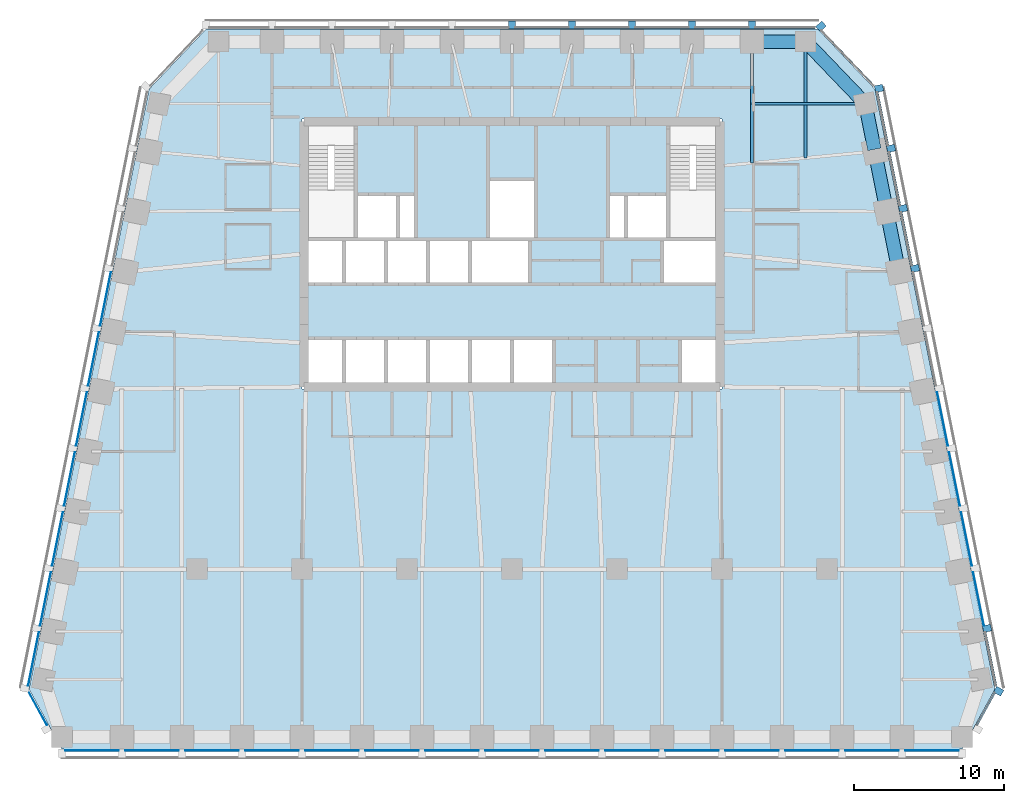
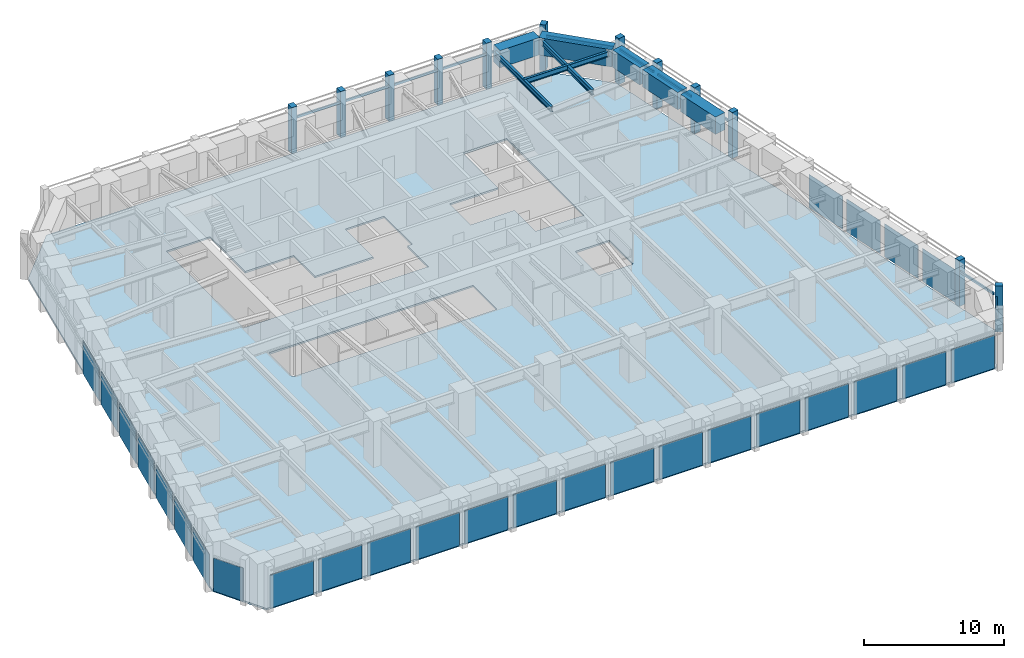
# One storey, part 4 of 10: 27 plates, 23 members, 8 beams, 1 slab, 7 elements without a shape of their own.
"""IFC4 building model written with IfcOpenShell, lengths in metres."""

from ifc_helpers import new_model, si_unit, direction, frame, origin, origin_2d, place, context, subcontext, project, spatial, polyline, rectangle, i_section, outline, extrude, material, layer, layer_set, material_profile, profile_set, type_object, element, aggregate, save


model = new_model("IFC4")

# Units and contexts
model_context = context("Model", 3, precision=1e-05, world=origin(), true_north=direction((0.0, 1.0)))
body_context = subcontext(model_context, "Body", "Model", "MODEL_VIEW")
ifc_project = project(units=[si_unit("LENGTHUNIT", "METRE"), si_unit("AREAUNIT", "SQUARE_METRE"), si_unit("VOLUMEUNIT", "CUBIC_METRE"), si_unit("PLANEANGLEUNIT", "RADIAN"), si_unit("MASSUNIT", "GRAM", prefix="KILO")], contexts=[model_context])

# Site, building, storey
site_placement = place(None, origin())
site = spatial("IfcSite", under=ifc_project, at=site_placement, CompositionType="ELEMENT")
building_placement = place(site_placement, origin())
building = spatial("IfcBuilding", under=site, at=building_placement, Name="Isbrekke Arena Tower", CompositionType="ELEMENT")
storey_placement = place(building_placement, frame((0.0, 0.0, 214.0)))
storey = spatial("IfcBuildingStorey", under=building, at=storey_placement, Name="L49", CompositionType="ELEMENT", Elevation=214.0)

# Beams
ifc_material_1 = material(Name="Steel S355", Category="steel")
ifc_material_profile_1 = material_profile(ifc_material_1, i_section(OverallWidth=0.18994140625, OverallDepth=0.449951171875, WebThickness=0.009521484375, FlangeThickness=0.0146484375, FilletRadius=0.02099609375, at=origin_2d()), Name="IPE 450")
ifc_profile_set_1 = profile_set([ifc_material_profile_1], Name="Steel S355")
beam_type_1 = type_object("IfcBeamType", Name="B2 IPE 450", PredefinedType="BEAM", material=ifc_profile_set_1)
beam_1_placement = place(storey_placement, frame((23.40283203125, 25.029296875, 3.625), z_axis=(-1.0, 0.0, 0.0), x_axis=(0.0, -1.0, 0.0)))
element("IfcBeam", 1, at=beam_1_placement, inside=storey, type_object=beam_type_1, Name="B2 beam E-E11 L49", PredefinedType="BEAM", context=body_context, shape_type="SweptSolid", body=[
    extrude(i_section(OverallWidth=0.18994140625, OverallDepth=0.449951171875, WebThickness=0.009521484375, FlangeThickness=0.0146484375, FilletRadius=0.02099609375, at=origin_2d()), origin(), (0.0, 0.0, 1.0), 7.40283203125),
])
ifc_material_2 = material(Name="Steel S355", Category="steel")
ifc_material_profile_2 = material_profile(ifc_material_2, i_section(OverallWidth=0.18994140625, OverallDepth=0.449951171875, WebThickness=0.009521484375, FlangeThickness=0.0146484375, FilletRadius=0.02099609375, at=origin_2d()), Name="IPE 450")
ifc_profile_set_2 = profile_set([ifc_material_profile_2], Name="Steel S355")
beam_type_2 = type_object("IfcBeamType", Name="B3 IPE 450", PredefinedType="BEAM", material=ifc_profile_set_2)
beam_2_placement = place(storey_placement, frame((19.574951171875, 29.02490234375, 3.625), z_axis=(0.0, -1.0, 0.0), x_axis=(1.0, 0.0, 0.0)))
element("IfcBeam", 2, at=beam_2_placement, inside=storey, type_object=beam_type_2, Name="B3 beam N-N01 L49", PredefinedType="BEAM", context=body_context, shape_type="SweptSolid", body=[
    extrude(i_section(OverallWidth=0.18994140625, OverallDepth=0.449951171875, WebThickness=0.009521484375, FlangeThickness=0.0146484375, FilletRadius=0.02099609375, at=origin_2d()), origin(), (0.0, 0.0, 1.0), 7.6103515625),
])
beam_3_placement = place(storey_placement, frame((16.0, 29.02490234375, 3.625), z_axis=(0.0, -1.0, 0.0), x_axis=(1.0, 0.0, 0.0)))
element("IfcBeam", 3, at=beam_3_placement, inside=storey, type_object=beam_type_2, Name="B3 beam N-N02 L49", PredefinedType="BEAM", context=body_context, shape_type="SweptSolid", body=[
    extrude(i_section(OverallWidth=0.18994140625, OverallDepth=0.449951171875, WebThickness=0.009521484375, FlangeThickness=0.0146484375, FilletRadius=0.02099609375, at=origin_2d()), origin(), (0.0, 0.0, 1.0), 7.949462890625),
])

# Curtain wall, member
ifc_material_3 = material(Name="Glazed aluminium curtain wall", Category="aluminium")
curtain_wall_type = type_object("IfcCurtainWallType", Name="CWH TOWER CURTAIN WALL HIGH ZONE", PredefinedType="USERDEFINED", material=ifc_material_3)
curtain_wall_1_placement = place(storey_placement, origin())
curtain_wall_1 = element("IfcCurtainWall", 4, at=curtain_wall_1_placement, inside=storey, type_object=curtain_wall_type, Name="CWH curtain wall L49-SE", ObjectType="TOWER CURTAIN WALL HIGH ZONE", PredefinedType="USERDEFINED")
ifc_material_4 = material(Name="Aluminium mullion, pale brick slip cladding", Category="masonry")
ifc_material_profile_3 = material_profile(ifc_material_4, rectangle(XDim=0.449951171875, YDim=0.550048828125, at=origin_2d()), Name="PIER 450X550")
ifc_profile_set_3 = profile_set([ifc_material_profile_3], Name="Aluminium mullion, pale brick slip cladding")
member_type_1 = type_object("IfcMemberType", Name="CWH-M PIER MULLION 450 x 550", PredefinedType="MULLION", material=ifc_profile_set_3)
member_1_placement = place(storey_placement, frame((32.44091796875, -14.132568359375, 0.0), z_axis=(0.0, 0.0, 1.0), x_axis=(0.481918749773, 0.876215908676, 0.0)))
member_1 = element("IfcMember", 5, at=member_1_placement, type_object=member_type_1, Name="CWH-M mullion 2", PredefinedType="MULLION", context=body_context, shape_type="SweptSolid", body=[
    extrude(rectangle(XDim=0.449951171875, YDim=0.550048828125, at=origin_2d()), origin(), (0.0, 0.0, 1.0), 4.0),
])

# Curtain wall, members
curtain_wall_2_placement = place(storey_placement, origin())
curtain_wall_2 = element("IfcCurtainWall", 6, at=curtain_wall_2_placement, inside=storey, type_object=curtain_wall_type, Name="CWH curtain wall L49-E", ObjectType="TOWER CURTAIN WALL HIGH ZONE", PredefinedType="USERDEFINED")
member_2_placement = place(storey_placement, frame((31.669677734375, -9.946044921875, 0.0), z_axis=(0.0, 0.0, 1.0), x_axis=(-0.196116135138, 0.980580675691, 0.0)))
member_2 = element("IfcMember", 7, at=member_2_placement, type_object=member_type_1, Name="CWH-M mullion 1", PredefinedType="MULLION", context=body_context, shape_type="SweptSolid", body=[
    extrude(rectangle(XDim=0.449951171875, YDim=0.550048828125, at=origin_2d()), origin(), (0.0, 0.0, 1.0), 4.0),
])
member_3_placement = place(storey_placement, frame((26.86962890625, 14.053955078125, 0.0), z_axis=(0.0, 0.0, 1.0), x_axis=(-0.196116135138, 0.980580675691, 0.0)))
member_3 = element("IfcMember", 8, at=member_3_placement, type_object=member_type_1, Name="CWH-M mullion 7", PredefinedType="MULLION", context=body_context, shape_type="SweptSolid", body=[
    extrude(rectangle(XDim=0.449951171875, YDim=0.550048828125, at=origin_2d()), origin(), (0.0, 0.0, 1.0), 4.0),
])
member_4_placement = place(storey_placement, frame((26.069580078125, 18.053955078125, 0.0), z_axis=(0.0, 0.0, 1.0), x_axis=(-0.196116135138, 0.980580675691, 0.0)))
member_4 = element("IfcMember", 9, at=member_4_placement, type_object=member_type_1, Name="CWH-M mullion 8", PredefinedType="MULLION", context=body_context, shape_type="SweptSolid", body=[
    extrude(rectangle(XDim=0.449951171875, YDim=0.550048828125, at=origin_2d()), origin(), (0.0, 0.0, 1.0), 4.0),
])
member_5_placement = place(storey_placement, frame((25.269775390625, 22.053955078125, 0.0), z_axis=(0.0, 0.0, 1.0), x_axis=(-0.196116135138, 0.980580675691, 0.0)))
member_5 = element("IfcMember", 10, at=member_5_placement, type_object=member_type_1, Name="CWH-M mullion 9", PredefinedType="MULLION", context=body_context, shape_type="SweptSolid", body=[
    extrude(rectangle(XDim=0.449951171875, YDim=0.550048828125, at=origin_2d()), origin(), (0.0, 0.0, 1.0), 4.0),
])
member_6_placement = place(storey_placement, frame((24.4697265625, 26.053955078125, 0.0), z_axis=(0.0, 0.0, 1.0), x_axis=(-0.196116135138, 0.980580675691, 0.0)))
member_6 = element("IfcMember", 11, at=member_6_placement, type_object=member_type_1, Name="CWH-M mullion 10", PredefinedType="MULLION", context=body_context, shape_type="SweptSolid", body=[
    extrude(rectangle(XDim=0.449951171875, YDim=0.550048828125, at=origin_2d()), origin(), (0.0, 0.0, 1.0), 4.0),
])

# Curtain wall, member
curtain_wall_3_placement = place(storey_placement, origin())
curtain_wall_3 = element("IfcCurtainWall", 12, at=curtain_wall_3_placement, inside=storey, type_object=curtain_wall_type, Name="CWH curtain wall L49-EN", ObjectType="TOWER CURTAIN WALL HIGH ZONE", PredefinedType="USERDEFINED")
member_7_placement = place(storey_placement, frame((20.599365234375, 30.189453125, 0.0), z_axis=(0.0, 0.0, 1.0), x_axis=(-0.68874946192, 0.72499943359, 0.0)))
member_7 = element("IfcMember", 13, at=member_7_placement, type_object=member_type_1, Name="CWH-M mullion 1", PredefinedType="MULLION", context=body_context, shape_type="SweptSolid", body=[
    extrude(rectangle(XDim=0.449951171875, YDim=0.550048828125, at=origin_2d()), origin(), (0.0, 0.0, 1.0), 4.0),
])

# Curtain wall, members
curtain_wall_4_placement = place(storey_placement, origin())
curtain_wall_4 = element("IfcCurtainWall", 14, at=curtain_wall_4_placement, inside=storey, type_object=curtain_wall_type, Name="CWH curtain wall L49-N", ObjectType="TOWER CURTAIN WALL HIGH ZONE", PredefinedType="USERDEFINED")
member_8_placement = place(storey_placement, frame((16.0, 30.27490234375, 0.0), z_axis=(0.0, 0.0, 1.0), x_axis=(-1.0, 0.0, 0.0)))
member_8 = element("IfcMember", 15, at=member_8_placement, type_object=member_type_1, Name="CWH-M mullion 1", PredefinedType="MULLION", context=body_context, shape_type="SweptSolid", body=[
    extrude(rectangle(XDim=0.449951171875, YDim=0.550048828125, at=origin_2d()), origin(), (0.0, 0.0, 1.0), 4.0),
])
member_9_placement = place(storey_placement, frame((12.0, 30.27490234375, 0.0), z_axis=(0.0, 0.0, 1.0), x_axis=(-1.0, 0.0, 0.0)))
member_9 = element("IfcMember", 16, at=member_9_placement, type_object=member_type_1, Name="CWH-M mullion 2", PredefinedType="MULLION", context=body_context, shape_type="SweptSolid", body=[
    extrude(rectangle(XDim=0.449951171875, YDim=0.550048828125, at=origin_2d()), origin(), (0.0, 0.0, 1.0), 4.0),
])
member_10_placement = place(storey_placement, frame((8.0, 30.27490234375, 0.0), z_axis=(0.0, 0.0, 1.0), x_axis=(-1.0, 0.0, 0.0)))
member_10 = element("IfcMember", 17, at=member_10_placement, type_object=member_type_1, Name="CWH-M mullion 3", PredefinedType="MULLION", context=body_context, shape_type="SweptSolid", body=[
    extrude(rectangle(XDim=0.449951171875, YDim=0.550048828125, at=origin_2d()), origin(), (0.0, 0.0, 1.0), 4.0),
])
member_11_placement = place(storey_placement, frame((4.0, 30.27490234375, 0.0), z_axis=(0.0, 0.0, 1.0), x_axis=(-1.0, 0.0, 0.0)))
member_11 = element("IfcMember", 18, at=member_11_placement, type_object=member_type_1, Name="CWH-M mullion 4", PredefinedType="MULLION", context=body_context, shape_type="SweptSolid", body=[
    extrude(rectangle(XDim=0.449951171875, YDim=0.550048828125, at=origin_2d()), origin(), (0.0, 0.0, 1.0), 4.0),
])
member_12_placement = place(storey_placement, frame((0.0, 30.27490234375, 0.0), z_axis=(0.0, 0.0, 1.0), x_axis=(-1.0, 0.0, 0.0)))
member_12 = element("IfcMember", 19, at=member_12_placement, type_object=member_type_1, Name="CWH-M mullion 5", PredefinedType="MULLION", context=body_context, shape_type="SweptSolid", body=[
    extrude(rectangle(XDim=0.449951171875, YDim=0.550048828125, at=origin_2d()), origin(), (0.0, 0.0, 1.0), 4.0),
])

# Member
ifc_material_5 = material(Name="Aluminium transom", Category="aluminium")
ifc_material_profile_4 = material_profile(ifc_material_5, rectangle(XDim=0.1201171875, YDim=0.199951171875, at=origin_2d()), Name="TRANSOM 120X200")
ifc_profile_set_4 = profile_set([ifc_material_profile_4], Name="Aluminium transom")
member_type_2 = type_object("IfcMemberType", Name="CWH-T TRANSOM 120 x 200", PredefinedType="USERDEFINED", material=ifc_profile_set_4)
member_13_placement = place(storey_placement, frame((31.002197265625, -16.38525390625, 3.0), z_axis=(0.481937937062, 0.876205355393, 0.0), x_axis=(-0.876205355393, 0.481937937062, 0.0)))
member_13 = element("IfcMember", 20, at=member_13_placement, type_object=member_type_2, Name="CWH-T transom 1", ObjectType="TRANSOM", PredefinedType="USERDEFINED", context=body_context, shape_type="SweptSolid", body=[
    extrude(rectangle(XDim=0.1201171875, YDim=0.199951171875, at=origin_2d()), origin(), (0.0, 0.0, 1.0), 2.442138671875),
])

aggregate(curtain_wall_1, [member_1, member_13])

member_14_placement = place(storey_placement, frame((32.25390625, -13.759765625, 3.0), z_axis=(-0.196090262229, 0.980585849918, 0.0), x_axis=(-0.980585849918, -0.196090262229, 0.0)))
member_14 = element("IfcMember", 21, at=member_14_placement, type_object=member_type_2, Name="CWH-T transom 1", ObjectType="TRANSOM", PredefinedType="USERDEFINED", context=body_context, shape_type="SweptSolid", body=[
    extrude(rectangle(XDim=0.1201171875, YDim=0.199951171875, at=origin_2d()), origin(), (0.0, 0.0, 1.0), 3.62939453125),
])

member_15_placement = place(storey_placement, frame((26.654052734375, 14.240234375, 3.0), z_axis=(-0.196154943734, 0.980572913173, 0.0), x_axis=(-0.980572913173, -0.196154943734, 0.0)))
member_15 = element("IfcMember", 22, at=member_15_placement, type_object=member_type_2, Name="CWH-T transom 8", ObjectType="TRANSOM", PredefinedType="USERDEFINED", context=body_context, shape_type="SweptSolid", body=[
    extrude(rectangle(XDim=0.1201171875, YDim=0.199951171875, at=origin_2d()), origin(), (0.0, 0.0, 1.0), 3.62939453125),
])

member_16_placement = place(storey_placement, frame((25.85400390625, 18.240234375, 3.0), z_axis=(-0.196154943734, 0.980572913173, 0.0), x_axis=(-0.980572913173, -0.196154943734, 0.0)))
member_16 = element("IfcMember", 23, at=member_16_placement, type_object=member_type_2, Name="CWH-T transom 9", ObjectType="TRANSOM", PredefinedType="USERDEFINED", context=body_context, shape_type="SweptSolid", body=[
    extrude(rectangle(XDim=0.1201171875, YDim=0.199951171875, at=origin_2d()), origin(), (0.0, 0.0, 1.0), 3.62939453125),
])

member_17_placement = place(storey_placement, frame((25.053955078125, 22.240234375, 3.0), z_axis=(-0.196090262229, 0.980585849918, 0.0), x_axis=(-0.980585849918, -0.196090262229, 0.0)))
member_17 = element("IfcMember", 24, at=member_17_placement, type_object=member_type_2, Name="CWH-T transom 10", ObjectType="TRANSOM", PredefinedType="USERDEFINED", context=body_context, shape_type="SweptSolid", body=[
    extrude(rectangle(XDim=0.1201171875, YDim=0.199951171875, at=origin_2d()), origin(), (0.0, 0.0, 1.0), 3.62939453125),
])

member_18_placement = place(storey_placement, frame((24.117431640625, 26.23193359375, 3.0), z_axis=(-0.688734266994, 0.725013868466, 0.0), x_axis=(-0.725013868466, -0.688734266994, 0.0)))
member_18 = element("IfcMember", 25, at=member_18_placement, type_object=member_type_2, Name="CWH-T transom 1", ObjectType="TRANSOM", PredefinedType="USERDEFINED", context=body_context, shape_type="SweptSolid", body=[
    extrude(rectangle(XDim=0.1201171875, YDim=0.199951171875, at=origin_2d()), origin(), (0.0, 0.0, 1.0), 5.067138671875),
])

aggregate(curtain_wall_3, [member_7, member_18])

member_19_placement = place(storey_placement, frame((20.175048828125, 30.10009765625, 3.0), z_axis=(-1.0, 0.0, 0.0), x_axis=(0.0, -1.0, 0.0)))
member_19 = element("IfcMember", 26, at=member_19_placement, type_object=member_type_2, Name="CWH-T transom 1", ObjectType="TRANSOM", PredefinedType="USERDEFINED", context=body_context, shape_type="SweptSolid", body=[
    extrude(rectangle(XDim=0.1201171875, YDim=0.199951171875, at=origin_2d()), origin(), (0.0, 0.0, 1.0), 3.949951171875),
])

member_20_placement = place(storey_placement, frame((15.77490234375, 30.10009765625, 3.0), z_axis=(-1.0, 0.0, 0.0), x_axis=(0.0, -1.0, 0.0)))
member_20 = element("IfcMember", 27, at=member_20_placement, type_object=member_type_2, Name="CWH-T transom 2", ObjectType="TRANSOM", PredefinedType="USERDEFINED", context=body_context, shape_type="SweptSolid", body=[
    extrude(rectangle(XDim=0.1201171875, YDim=0.199951171875, at=origin_2d()), origin(), (0.0, 0.0, 1.0), 3.5498046875),
])

member_21_placement = place(storey_placement, frame((11.77490234375, 30.10009765625, 3.0), z_axis=(-1.0, 0.0, 0.0), x_axis=(0.0, -1.0, 0.0)))
member_21 = element("IfcMember", 28, at=member_21_placement, type_object=member_type_2, Name="CWH-T transom 3", ObjectType="TRANSOM", PredefinedType="USERDEFINED", context=body_context, shape_type="SweptSolid", body=[
    extrude(rectangle(XDim=0.1201171875, YDim=0.199951171875, at=origin_2d()), origin(), (0.0, 0.0, 1.0), 3.5498046875),
])

member_22_placement = place(storey_placement, frame((7.77490234375, 30.10009765625, 3.0), z_axis=(-1.0, 0.0, 0.0), x_axis=(0.0, -1.0, 0.0)))
member_22 = element("IfcMember", 29, at=member_22_placement, type_object=member_type_2, Name="CWH-T transom 4", ObjectType="TRANSOM", PredefinedType="USERDEFINED", context=body_context, shape_type="SweptSolid", body=[
    extrude(rectangle(XDim=0.1201171875, YDim=0.199951171875, at=origin_2d()), origin(), (0.0, 0.0, 1.0), 3.5498046875),
])

member_23_placement = place(storey_placement, frame((3.77490234375, 30.10009765625, 3.0), z_axis=(-1.0, 0.0, 0.0), x_axis=(0.0, -1.0, 0.0)))
member_23 = element("IfcMember", 30, at=member_23_placement, type_object=member_type_2, Name="CWH-T transom 5", ObjectType="TRANSOM", PredefinedType="USERDEFINED", context=body_context, shape_type="SweptSolid", body=[
    extrude(rectangle(XDim=0.1201171875, YDim=0.199951171875, at=origin_2d()), origin(), (0.0, 0.0, 1.0), 3.5498046875),
])

aggregate(curtain_wall_4, [member_8, member_9, member_10, member_11, member_12, member_19, member_20, member_21, member_22, member_23])

# Beams
ifc_material_6 = material(Name="Concrete B65 (C65/80)", Category="concrete")
ifc_material_profile_5 = material_profile(ifc_material_6, rectangle(XDim=0.89990234375, YDim=1.5, at=origin_2d()), Name="RC 900x1500")
ifc_profile_set_5 = profile_set([ifc_material_profile_5], Name="Concrete B65 (C65/80)")
beam_type_3 = type_object("IfcBeamType", Name="SB3 RC 900 x 1500", PredefinedType="SPANDREL", material=ifc_profile_set_5)
for number, where, z_axis, x_axis, name in (
    (31, (25.76171875, 13.9853515625, 3.25), (-0.196128558387, 0.980578190959, 0.0), (-0.980578190959, -0.196128558387, 0.0), "SB3 spandrel E08-E09 L49"),
    (32, (24.961669921875, 17.9853515625, 3.25), (-0.196128558387, 0.980578190959, 0.0), (-0.980578190959, -0.196128558387, 0.0), "SB3 spandrel E09-E10 L49"),
):
    element("IfcBeam", number, at=place(storey_placement, frame(where, z_axis=z_axis, x_axis=x_axis)), inside=storey, type_object=beam_type_3, Name=name, PredefinedType="SPANDREL", context=body_context, shape_type="SweptSolid", body=[
        extrude(rectangle(XDim=0.89990234375, YDim=1.5, at=origin_2d()), origin(), (0.0, 0.0, 1.0), 3.779296875),
    ])
beam_4_placement = place(storey_placement, frame((24.16162109375, 21.9853515625, 3.25), z_axis=(-0.196116135138, 0.980580675691, 0.0), x_axis=(-0.980580675691, -0.196116135138, 0.0)))
element("IfcBeam", 33, at=beam_4_placement, inside=storey, type_object=beam_type_3, Name="SB3 spandrel E10-E11 L49", PredefinedType="SPANDREL", context=body_context, shape_type="SweptSolid", body=[
    extrude(rectangle(XDim=0.89990234375, YDim=1.5, at=origin_2d()), origin(), (0.0, 0.0, 1.0), 2.9541015625),
])
beam_5_placement = place(storey_placement, frame((23.448974609375, 25.137451171875, 3.25), z_axis=(-0.692339547635, 0.721571861134, 0.0), x_axis=(-0.721571861134, -0.692339547635, 0.0)))
element("IfcBeam", 34, at=beam_5_placement, inside=storey, type_object=beam_type_3, Name="SB3 spandrel E11-N01 L49", PredefinedType="SPANDREL", context=body_context, shape_type="SweptSolid", body=[
    extrude(rectangle(XDim=0.89990234375, YDim=1.5, at=origin_2d()), origin(), (0.0, 0.0, 1.0), 5.4453125),
])
beam_6_placement = place(storey_placement, frame((19.425048828125, 29.175048828125, 3.25), z_axis=(-1.0, 0.0, 0.0), x_axis=(0.0, -1.0, 0.0)))
element("IfcBeam", 35, at=beam_6_placement, inside=storey, type_object=beam_type_3, Name="SB3 spandrel N01-N02 L49", PredefinedType="SPANDREL", context=body_context, shape_type="SweptSolid", body=[
    extrude(rectangle(XDim=0.89990234375, YDim=1.5, at=origin_2d()), origin(), (0.0, 0.0, 1.0), 3.275146484375),
])

# Curtain wall, plates
curtain_wall_5_placement = place(storey_placement, origin())
curtain_wall_5 = element("IfcCurtainWall", 36, at=curtain_wall_5_placement, inside=storey, type_object=curtain_wall_type, Name="CWH curtain wall L49-S", ObjectType="TOWER CURTAIN WALL HIGH ZONE", PredefinedType="USERDEFINED")
ifc_material_7 = material(Name="Triple-glazed clear glass unit", Category="glass")
ifc_layer_1 = layer(ifc_material_7, 0.031982421875)
ifc_layer_set_1 = layer_set([ifc_layer_1], Name="CWH-P VISION PANEL")
plate_type = type_object("IfcPlateType", Name="CWH-P VISION PANEL", PredefinedType="CURTAIN_PANEL", material=ifc_layer_set_1)
plate_1_placement = place(storey_placement, frame((-28.0, -18.10009765625, 0.02001953125), z_axis=(0.0, 0.0, 1.0), x_axis=(1.0, 0.0, 0.0)))
plate_1 = element("IfcPlate", 37, at=plate_1_placement, type_object=plate_type, Name="CWH-P panel 1", PredefinedType="CURTAIN_PANEL", context=body_context, shape_type="SweptSolid", body=[
    extrude(rectangle(XDim=3.550048828125, YDim=0.031982421875, at=origin_2d()), origin(), (0.0, 0.0, 1.0), 2.8798828125),
])
plate_2_placement = place(storey_placement, frame((-24.0, -18.10009765625, 0.02001953125), z_axis=(0.0, 0.0, 1.0), x_axis=(1.0, 0.0, 0.0)))
plate_2 = element("IfcPlate", 38, at=plate_2_placement, type_object=plate_type, Name="CWH-P panel 2", PredefinedType="CURTAIN_PANEL", context=body_context, shape_type="SweptSolid", body=[
    extrude(rectangle(XDim=3.550048828125, YDim=0.031982421875, at=origin_2d()), origin(), (0.0, 0.0, 1.0), 2.8798828125),
])
plate_3_placement = place(storey_placement, frame((-20.0, -18.10009765625, 0.02001953125), z_axis=(0.0, 0.0, 1.0), x_axis=(1.0, 0.0, 0.0)))
plate_3 = element("IfcPlate", 39, at=plate_3_placement, type_object=plate_type, Name="CWH-P panel 3", PredefinedType="CURTAIN_PANEL", context=body_context, shape_type="SweptSolid", body=[
    extrude(rectangle(XDim=3.550048828125, YDim=0.031982421875, at=origin_2d()), origin(), (0.0, 0.0, 1.0), 2.8798828125),
])
plate_4_placement = place(storey_placement, frame((-16.0, -18.10009765625, 0.02001953125), z_axis=(0.0, 0.0, 1.0), x_axis=(1.0, 0.0, 0.0)))
plate_4 = element("IfcPlate", 40, at=plate_4_placement, type_object=plate_type, Name="CWH-P panel 4", PredefinedType="CURTAIN_PANEL", context=body_context, shape_type="SweptSolid", body=[
    extrude(rectangle(XDim=3.550048828125, YDim=0.031982421875, at=origin_2d()), origin(), (0.0, 0.0, 1.0), 2.8798828125),
])
plate_5_placement = place(storey_placement, frame((-12.0, -18.10009765625, 0.02001953125), z_axis=(0.0, 0.0, 1.0), x_axis=(1.0, 0.0, 0.0)))
plate_5 = element("IfcPlate", 41, at=plate_5_placement, type_object=plate_type, Name="CWH-P panel 5", PredefinedType="CURTAIN_PANEL", context=body_context, shape_type="SweptSolid", body=[
    extrude(rectangle(XDim=3.550048828125, YDim=0.031982421875, at=origin_2d()), origin(), (0.0, 0.0, 1.0), 2.8798828125),
])
plate_6_placement = place(storey_placement, frame((-8.0, -18.10009765625, 0.02001953125), z_axis=(0.0, 0.0, 1.0), x_axis=(1.0, 0.0, 0.0)))
plate_6 = element("IfcPlate", 42, at=plate_6_placement, type_object=plate_type, Name="CWH-P panel 6", PredefinedType="CURTAIN_PANEL", context=body_context, shape_type="SweptSolid", body=[
    extrude(rectangle(XDim=3.550048828125, YDim=0.031982421875, at=origin_2d()), origin(), (0.0, 0.0, 1.0), 2.8798828125),
])
plate_7_placement = place(storey_placement, frame((-4.0, -18.10009765625, 0.02001953125), z_axis=(0.0, 0.0, 1.0), x_axis=(1.0, 0.0, 0.0)))
plate_7 = element("IfcPlate", 43, at=plate_7_placement, type_object=plate_type, Name="CWH-P panel 7", PredefinedType="CURTAIN_PANEL", context=body_context, shape_type="SweptSolid", body=[
    extrude(rectangle(XDim=3.550048828125, YDim=0.031982421875, at=origin_2d()), origin(), (0.0, 0.0, 1.0), 2.8798828125),
])
plate_8_placement = place(storey_placement, frame((0.0, -18.10009765625, 0.02001953125), z_axis=(0.0, 0.0, 1.0), x_axis=(1.0, 0.0, 0.0)))
plate_8 = element("IfcPlate", 44, at=plate_8_placement, type_object=plate_type, Name="CWH-P panel 8", PredefinedType="CURTAIN_PANEL", context=body_context, shape_type="SweptSolid", body=[
    extrude(rectangle(XDim=3.550048828125, YDim=0.031982421875, at=origin_2d()), origin(), (0.0, 0.0, 1.0), 2.8798828125),
])
plate_9_placement = place(storey_placement, frame((4.0, -18.10009765625, 0.02001953125), z_axis=(0.0, 0.0, 1.0), x_axis=(1.0, 0.0, 0.0)))
plate_9 = element("IfcPlate", 45, at=plate_9_placement, type_object=plate_type, Name="CWH-P panel 9", PredefinedType="CURTAIN_PANEL", context=body_context, shape_type="SweptSolid", body=[
    extrude(rectangle(XDim=3.550048828125, YDim=0.031982421875, at=origin_2d()), origin(), (0.0, 0.0, 1.0), 2.8798828125),
])
plate_10_placement = place(storey_placement, frame((8.0, -18.10009765625, 0.02001953125), z_axis=(0.0, 0.0, 1.0), x_axis=(1.0, 0.0, 0.0)))
plate_10 = element("IfcPlate", 46, at=plate_10_placement, type_object=plate_type, Name="CWH-P panel 10", PredefinedType="CURTAIN_PANEL", context=body_context, shape_type="SweptSolid", body=[
    extrude(rectangle(XDim=3.550048828125, YDim=0.031982421875, at=origin_2d()), origin(), (0.0, 0.0, 1.0), 2.8798828125),
])
plate_11_placement = place(storey_placement, frame((12.0, -18.10009765625, 0.02001953125), z_axis=(0.0, 0.0, 1.0), x_axis=(1.0, 0.0, 0.0)))
plate_11 = element("IfcPlate", 47, at=plate_11_placement, type_object=plate_type, Name="CWH-P panel 11", PredefinedType="CURTAIN_PANEL", context=body_context, shape_type="SweptSolid", body=[
    extrude(rectangle(XDim=3.550048828125, YDim=0.031982421875, at=origin_2d()), origin(), (0.0, 0.0, 1.0), 2.8798828125),
])
plate_12_placement = place(storey_placement, frame((16.0, -18.10009765625, 0.02001953125), z_axis=(0.0, 0.0, 1.0), x_axis=(1.0, 0.0, 0.0)))
plate_12 = element("IfcPlate", 48, at=plate_12_placement, type_object=plate_type, Name="CWH-P panel 12", PredefinedType="CURTAIN_PANEL", context=body_context, shape_type="SweptSolid", body=[
    extrude(rectangle(XDim=3.550048828125, YDim=0.031982421875, at=origin_2d()), origin(), (0.0, 0.0, 1.0), 2.8798828125),
])
plate_13_placement = place(storey_placement, frame((20.0, -18.10009765625, 0.02001953125), z_axis=(0.0, 0.0, 1.0), x_axis=(1.0, 0.0, 0.0)))
plate_13 = element("IfcPlate", 49, at=plate_13_placement, type_object=plate_type, Name="CWH-P panel 13", PredefinedType="CURTAIN_PANEL", context=body_context, shape_type="SweptSolid", body=[
    extrude(rectangle(XDim=3.550048828125, YDim=0.031982421875, at=origin_2d()), origin(), (0.0, 0.0, 1.0), 2.8798828125),
])
plate_14_placement = place(storey_placement, frame((24.0, -18.10009765625, 0.02001953125), z_axis=(0.0, 0.0, 1.0), x_axis=(1.0, 0.0, 0.0)))
plate_14 = element("IfcPlate", 50, at=plate_14_placement, type_object=plate_type, Name="CWH-P panel 14", PredefinedType="CURTAIN_PANEL", context=body_context, shape_type="SweptSolid", body=[
    extrude(rectangle(XDim=3.550048828125, YDim=0.031982421875, at=origin_2d()), origin(), (0.0, 0.0, 1.0), 2.8798828125),
])
plate_15_placement = place(storey_placement, frame((28.0, -18.10009765625, 0.02001953125), z_axis=(0.0, 0.0, 1.0), x_axis=(1.0, 0.0, 0.0)))
plate_15 = element("IfcPlate", 51, at=plate_15_placement, type_object=plate_type, Name="CWH-P panel 15", PredefinedType="CURTAIN_PANEL", context=body_context, shape_type="SweptSolid", body=[
    extrude(rectangle(XDim=3.550048828125, YDim=0.031982421875, at=origin_2d()), origin(), (0.0, 0.0, 1.0), 2.8798828125),
])
aggregate(curtain_wall_5, [plate_1, plate_2, plate_3, plate_4, plate_5, plate_6, plate_7, plate_8, plate_9, plate_10, plate_11, plate_12, plate_13, plate_14, plate_15])

# Plate
plate_16_placement = place(storey_placement, frame((31.09814453125, -7.98046875, 0.02001953125), z_axis=(0.0, 0.0, 1.0), x_axis=(-0.196116135138, 0.980580675691, 0.0)))
plate_16 = element("IfcPlate", 52, at=plate_16_placement, type_object=plate_type, Name="CWH-P panel 2", PredefinedType="CURTAIN_PANEL", context=body_context, shape_type="SweptSolid", body=[
    extrude(rectangle(XDim=3.629150390625, YDim=0.031982421875, at=origin_2d()), origin(), (0.0, 0.0, 1.0), 2.8798828125),
])

plate_17_placement = place(storey_placement, frame((30.298095703125, -3.98046875, 0.02001953125), z_axis=(0.0, 0.0, 1.0), x_axis=(-0.196116135138, 0.980580675691, 0.0)))
plate_17 = element("IfcPlate", 53, at=plate_17_placement, type_object=plate_type, Name="CWH-P panel 3", PredefinedType="CURTAIN_PANEL", context=body_context, shape_type="SweptSolid", body=[
    extrude(rectangle(XDim=3.629150390625, YDim=0.031982421875, at=origin_2d()), origin(), (0.0, 0.0, 1.0), 2.8798828125),
])

plate_18_placement = place(storey_placement, frame((29.498046875, 0.01953125, 0.02001953125), z_axis=(0.0, 0.0, 1.0), x_axis=(-0.196116135138, 0.980580675691, 0.0)))
plate_18 = element("IfcPlate", 54, at=plate_18_placement, type_object=plate_type, Name="CWH-P panel 4", PredefinedType="CURTAIN_PANEL", context=body_context, shape_type="SweptSolid", body=[
    extrude(rectangle(XDim=3.629150390625, YDim=0.031982421875, at=origin_2d()), origin(), (0.0, 0.0, 1.0), 2.8798828125),
])

plate_19_placement = place(storey_placement, frame((28.697998046875, 4.01953125, 0.02001953125), z_axis=(0.0, 0.0, 1.0), x_axis=(-0.196116135138, 0.980580675691, 0.0)))
plate_19 = element("IfcPlate", 55, at=plate_19_placement, type_object=plate_type, Name="CWH-P panel 5", PredefinedType="CURTAIN_PANEL", context=body_context, shape_type="SweptSolid", body=[
    extrude(rectangle(XDim=3.629150390625, YDim=0.031982421875, at=origin_2d()), origin(), (0.0, 0.0, 1.0), 2.8798828125),
])

aggregate(curtain_wall_2, [member_2, member_3, member_4, member_5, member_6, member_14, plate_16, plate_17, plate_18, plate_19, member_15, member_16, member_17])

# Curtain wall, plates
curtain_wall_6_placement = place(storey_placement, origin())
curtain_wall_6 = element("IfcCurtainWall", 56, at=curtain_wall_6_placement, inside=storey, type_object=curtain_wall_type, Name="CWH curtain wall L49-W", ObjectType="TOWER CURTAIN WALL HIGH ZONE", PredefinedType="USERDEFINED")
plate_20_placement = place(storey_placement, frame((-27.09814453125, 12.01953125, 0.02001953125), z_axis=(0.0, 0.0, 1.0), x_axis=(-0.196116135138, -0.980580675691, 0.0)))
plate_20 = element("IfcPlate", 57, at=plate_20_placement, type_object=plate_type, Name="CWH-P panel 4", PredefinedType="CURTAIN_PANEL", context=body_context, shape_type="SweptSolid", body=[
    extrude(rectangle(XDim=3.629150390625, YDim=0.031982421875, at=origin_2d()), origin(), (0.0, 0.0, 1.0), 2.8798828125),
])
plate_21_placement = place(storey_placement, frame((-27.89794921875, 8.01953125, 0.02001953125), z_axis=(0.0, 0.0, 1.0), x_axis=(-0.196116135138, -0.980580675691, 0.0)))
plate_21 = element("IfcPlate", 58, at=plate_21_placement, type_object=plate_type, Name="CWH-P panel 5", PredefinedType="CURTAIN_PANEL", context=body_context, shape_type="SweptSolid", body=[
    extrude(rectangle(XDim=3.629150390625, YDim=0.031982421875, at=origin_2d()), origin(), (0.0, 0.0, 1.0), 2.8798828125),
])
plate_22_placement = place(storey_placement, frame((-28.697998046875, 4.01953125, 0.02001953125), z_axis=(0.0, 0.0, 1.0), x_axis=(-0.196116135138, -0.980580675691, 0.0)))
plate_22 = element("IfcPlate", 59, at=plate_22_placement, type_object=plate_type, Name="CWH-P panel 6", PredefinedType="CURTAIN_PANEL", context=body_context, shape_type="SweptSolid", body=[
    extrude(rectangle(XDim=3.629150390625, YDim=0.031982421875, at=origin_2d()), origin(), (0.0, 0.0, 1.0), 2.8798828125),
])
plate_23_placement = place(storey_placement, frame((-29.498046875, 0.01953125, 0.02001953125), z_axis=(0.0, 0.0, 1.0), x_axis=(-0.196116135138, -0.980580675691, 0.0)))
plate_23 = element("IfcPlate", 60, at=plate_23_placement, type_object=plate_type, Name="CWH-P panel 7", PredefinedType="CURTAIN_PANEL", context=body_context, shape_type="SweptSolid", body=[
    extrude(rectangle(XDim=3.629150390625, YDim=0.031982421875, at=origin_2d()), origin(), (0.0, 0.0, 1.0), 2.8798828125),
])
plate_24_placement = place(storey_placement, frame((-30.298095703125, -3.98046875, 0.02001953125), z_axis=(0.0, 0.0, 1.0), x_axis=(-0.196116135138, -0.980580675691, 0.0)))
plate_24 = element("IfcPlate", 61, at=plate_24_placement, type_object=plate_type, Name="CWH-P panel 8", PredefinedType="CURTAIN_PANEL", context=body_context, shape_type="SweptSolid", body=[
    extrude(rectangle(XDim=3.629150390625, YDim=0.031982421875, at=origin_2d()), origin(), (0.0, 0.0, 1.0), 2.8798828125),
])
plate_25_placement = place(storey_placement, frame((-31.09814453125, -7.98046875, 0.02001953125), z_axis=(0.0, 0.0, 1.0), x_axis=(-0.196116135138, -0.980580675691, 0.0)))
plate_25 = element("IfcPlate", 62, at=plate_25_placement, type_object=plate_type, Name="CWH-P panel 9", PredefinedType="CURTAIN_PANEL", context=body_context, shape_type="SweptSolid", body=[
    extrude(rectangle(XDim=3.629150390625, YDim=0.031982421875, at=origin_2d()), origin(), (0.0, 0.0, 1.0), 2.8798828125),
])
plate_26_placement = place(storey_placement, frame((-31.89794921875, -11.98046875, 0.02001953125), z_axis=(0.0, 0.0, 1.0), x_axis=(-0.196116135138, -0.980580675691, 0.0)))
plate_26 = element("IfcPlate", 63, at=plate_26_placement, type_object=plate_type, Name="CWH-P panel 10", PredefinedType="CURTAIN_PANEL", context=body_context, shape_type="SweptSolid", body=[
    extrude(rectangle(XDim=3.629150390625, YDim=0.031982421875, at=origin_2d()), origin(), (0.0, 0.0, 1.0), 2.8798828125),
])
aggregate(curtain_wall_6, [plate_20, plate_21, plate_22, plate_23, plate_24, plate_25, plate_26])

# Curtain wall, plate
curtain_wall_7_placement = place(storey_placement, origin())
curtain_wall_7 = element("IfcCurtainWall", 64, at=curtain_wall_7_placement, inside=storey, type_object=curtain_wall_type, Name="CWH curtain wall L49-WS", ObjectType="TOWER CURTAIN WALL HIGH ZONE", PredefinedType="USERDEFINED")
plate_27_placement = place(storey_placement, frame((-31.59033203125, -15.31591796875, 0.02001953125), z_axis=(0.0, 0.0, 1.0), x_axis=(0.481918749773, -0.876215908676, 0.0)))
plate_27 = element("IfcPlate", 65, at=plate_27_placement, type_object=plate_type, Name="CWH-P panel 1", PredefinedType="CURTAIN_PANEL", context=body_context, shape_type="SweptSolid", body=[
    extrude(rectangle(XDim=2.443603515625, YDim=0.031982421875, at=origin_2d()), origin(), (0.0, 0.0, 1.0), 2.8798828125),
])
aggregate(curtain_wall_7, [plate_27])

# Slab
ifc_material_8 = material(Name="Concrete B35 (C35/45)", Category="concrete")
ifc_layer_2 = layer(ifc_material_8, 0.14990234375)
ifc_layer_set_2 = layer_set([ifc_layer_2], Name="FS1 COMPOSITE FLOOR 150")
slab_type = type_object("IfcSlabType", Name="FS1 COMPOSITE FLOOR 150", PredefinedType="FLOOR", material=ifc_layer_set_2)
slab_placement = place(storey_placement, frame((0.0, 0.0, -0.14990234375)))
element("IfcSlab", 66, at=slab_placement, inside=storey, type_object=slab_type, Name="FS1 floor slab L49", PredefinedType="FLOOR", context=body_context, shape_type="SweptSolid", body=[
    extrude(outline(polyline([(-30.0, -18.0), (30.0, -18.0), (32.199951171875, -14.0), (24.199951171875, 26.0), (20.39990234375, 30.0), (-20.39990234375, 30.0), (-24.199951171875, 26.0), (-32.199951171875, -14.0), (-30.0, -18.0)]), holes=[polyline([(2.800048828125, 9.39990234375), (2.800048828125, 6.0), (-14.0, 6.0), (-14.0, 9.39990234375), (2.800048828125, 9.39990234375)]), polyline([(11.199951171875, 6.0), (11.199951171875, 9.39990234375), (14.0, 9.39990234375), (14.0, 6.0), (11.199951171875, 6.0)]), polyline([(-14.0, 13.0), (-14.0, 24.0), (-10.39990234375, 24.0), (-10.39990234375, 19.0), (-6.39990234375, 19.0), (-6.39990234375, 16.0), (-1.60009765625, 16.0), (-1.60009765625, 20.0), (1.60009765625, 20.0), (1.60009765625, 16.0), (1.199951171875, 16.0), (1.199951171875, 13.0), (-14.0, 13.0)]), polyline([(10.0, 13.0), (10.0, 16.0), (6.39990234375, 16.0), (6.39990234375, 19.0), (10.39990234375, 19.0), (10.39990234375, 24.0), (14.0, 24.0), (14.0, 13.0), (10.0, 13.0)])]), origin(), (0.0, 0.0, 1.0), 0.14990234375),
])

save(model, "model.ifc")
